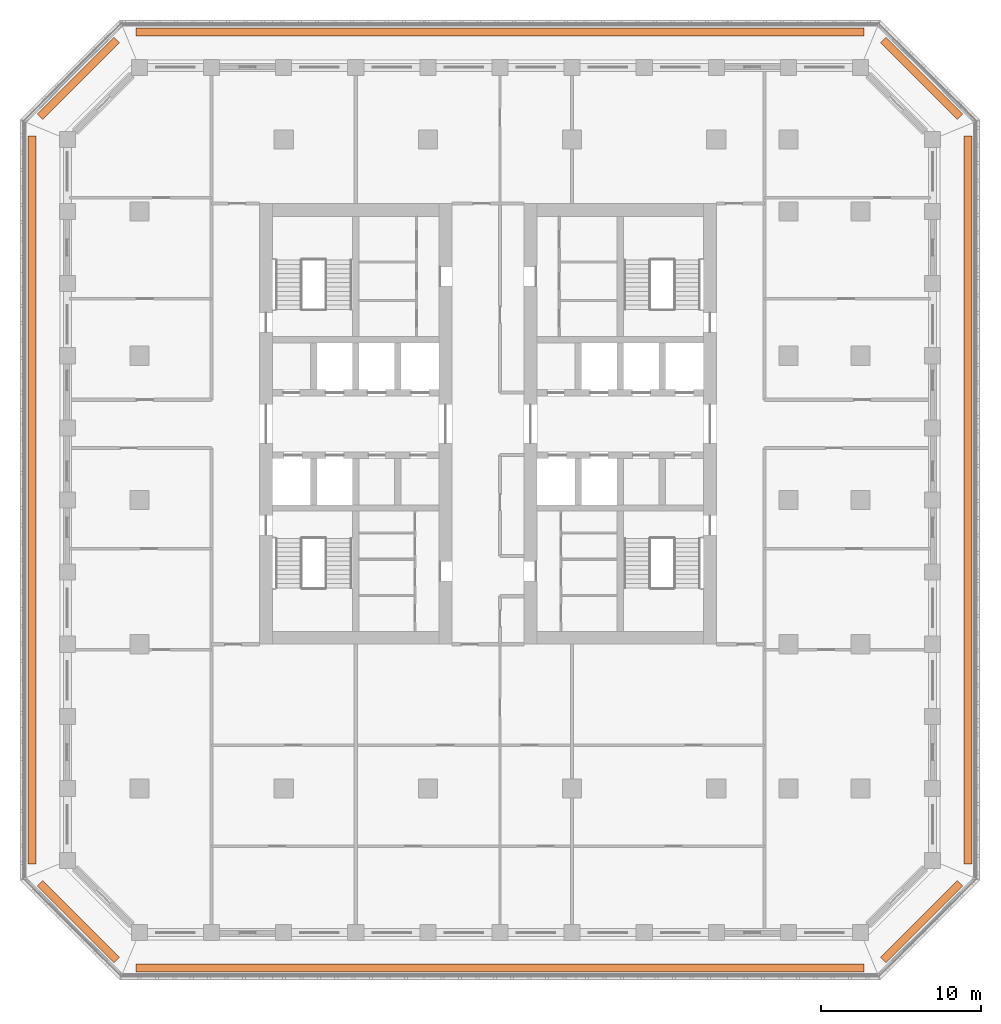
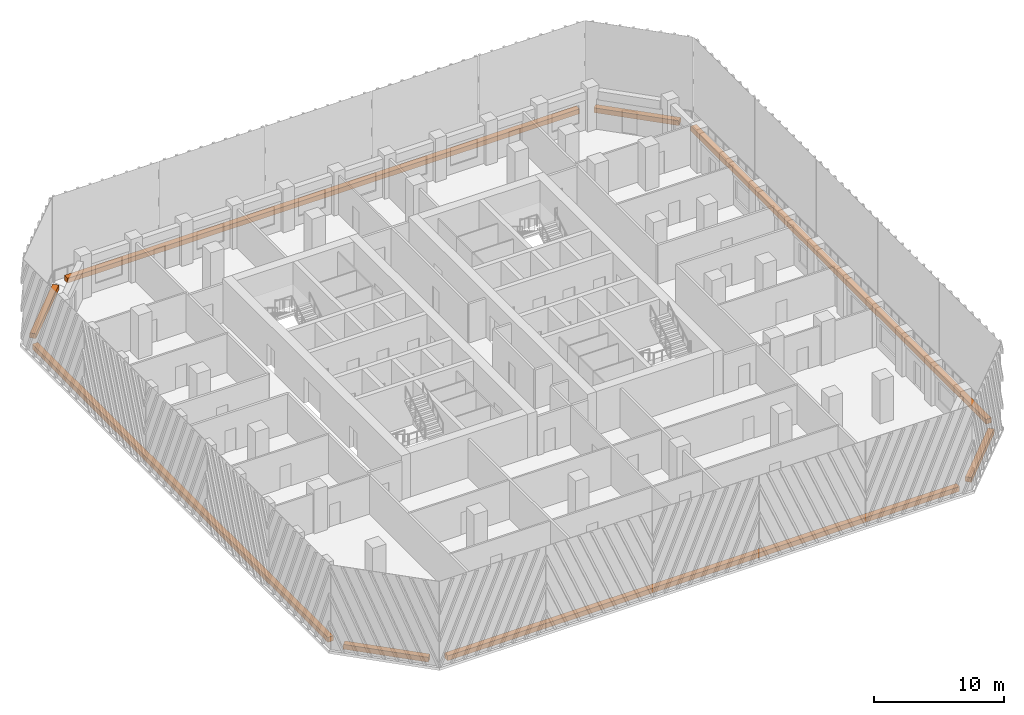
# One storey, part 17 of 17: 8 proxies.
"""IFC4 building model written with IfcOpenShell, lengths in metres."""

from ifc_helpers import new_model, si_unit, direction, frame, origin, origin_2d, place, context, subcontext, project, spatial, rectangle, extrude, material, type_object, element, save


model = new_model("IFC4")

# Units and contexts
model_context = context("Model", 3, precision=1e-05, world=origin(), true_north=direction((0.0, 1.0)))
body_context = subcontext(model_context, "Body", "Model", "MODEL_VIEW")
ifc_project = project(units=[si_unit("LENGTHUNIT", "METRE"), si_unit("AREAUNIT", "SQUARE_METRE"), si_unit("VOLUMEUNIT", "CUBIC_METRE"), si_unit("PLANEANGLEUNIT", "RADIAN"), si_unit("MASSUNIT", "GRAM", prefix="KILO")], contexts=[model_context])

# Site, building, storey
site_placement = place(None, origin())
site = spatial("IfcSite", under=ifc_project, at=site_placement, CompositionType="ELEMENT")
building_placement = place(site_placement, origin())
building = spatial("IfcBuilding", under=site, at=building_placement, Name="Corbel Stack Research Tower", CompositionType="ELEMENT")
storey_placement = place(building_placement, frame((0.0, 0.0, 207.89990234375)))
storey = spatial("IfcBuildingStorey", under=building, at=storey_placement, Name="L47", CompositionType="ELEMENT", Elevation=207.89990234375)

# Proxies
ifc_material = material(Name="Concrete C45/55", Category="concrete")
building_element_proxy_type = type_object("IfcBuildingElementProxyType", Name="Planter box", PredefinedType="USERDEFINED", material=ifc_material)
proxy_1_placement = place(storey_placement, frame((4.5, -29.199951171875, 0.0), z_axis=(0.0, 0.0, 1.0), x_axis=(1.0, 0.0, 0.0)))
element("IfcBuildingElementProxy", 1, at=proxy_1_placement, inside=storey, type_object=building_element_proxy_type, Name="Planter L47 S", ObjectType="PLANTER", PredefinedType="USERDEFINED", context=body_context, shape_type="SweptSolid", body=[
    extrude(rectangle(XDim=45.41064453125, YDim=0.5, at=origin_2d()), origin(), (0.0, 0.0, 1.0), 0.449951171875),
])
proxy_2_placement = place(storey_placement, frame((30.8056640625, -26.3056640625, 0.0), z_axis=(0.0, 0.0, 1.0), x_axis=(0.707106781187, 0.707106781187, 0.0)))
element("IfcBuildingElementProxy", 2, at=proxy_2_placement, inside=storey, type_object=building_element_proxy_type, Name="Planter L47 SE", ObjectType="PLANTER", PredefinedType="USERDEFINED", context=body_context, shape_type="SweptSolid", body=[
    extrude(rectangle(XDim=6.774658203125, YDim=0.5, at=origin_2d()), origin(), (0.0, 0.0, 1.0), 0.449951171875),
])
proxy_3_placement = place(storey_placement, frame((33.699951171875, 0.0, 0.0), z_axis=(0.0, 0.0, 1.0), x_axis=(0.0, 1.0, 0.0)))
element("IfcBuildingElementProxy", 3, at=proxy_3_placement, inside=storey, type_object=building_element_proxy_type, Name="Planter L47 E", ObjectType="PLANTER", PredefinedType="USERDEFINED", context=body_context, shape_type="SweptSolid", body=[
    extrude(rectangle(XDim=45.41064453125, YDim=0.5, at=origin_2d()), origin(), (0.0, 0.0, 1.0), 0.449951171875),
])
proxy_4_placement = place(storey_placement, frame((30.8056640625, 26.3056640625, 0.0), z_axis=(0.0, 0.0, 1.0), x_axis=(-0.707106781187, 0.707106781187, 0.0)))
element("IfcBuildingElementProxy", 4, at=proxy_4_placement, inside=storey, type_object=building_element_proxy_type, Name="Planter L47 NE", ObjectType="PLANTER", PredefinedType="USERDEFINED", context=body_context, shape_type="SweptSolid", body=[
    extrude(rectangle(XDim=6.774658203125, YDim=0.5, at=origin_2d()), origin(), (0.0, 0.0, 1.0), 0.449951171875),
])
proxy_5_placement = place(storey_placement, frame((4.5, 29.199951171875, 0.0), z_axis=(0.0, 0.0, 1.0), x_axis=(-1.0, 0.0, 0.0)))
element("IfcBuildingElementProxy", 5, at=proxy_5_placement, inside=storey, type_object=building_element_proxy_type, Name="Planter L47 N", ObjectType="PLANTER", PredefinedType="USERDEFINED", context=body_context, shape_type="SweptSolid", body=[
    extrude(rectangle(XDim=45.41064453125, YDim=0.5, at=origin_2d()), origin(), (0.0, 0.0, 1.0), 0.449951171875),
])
proxy_6_placement = place(storey_placement, frame((-21.8056640625, 26.3056640625, 0.0), z_axis=(0.0, 0.0, 1.0), x_axis=(-0.707106781187, -0.707106781187, 0.0)))
element("IfcBuildingElementProxy", 6, at=proxy_6_placement, inside=storey, type_object=building_element_proxy_type, Name="Planter L47 NW", ObjectType="PLANTER", PredefinedType="USERDEFINED", context=body_context, shape_type="SweptSolid", body=[
    extrude(rectangle(XDim=6.774658203125, YDim=0.5, at=origin_2d()), origin(), (0.0, 0.0, 1.0), 0.449951171875),
])
proxy_7_placement = place(storey_placement, frame((-24.699951171875, 0.0, 0.0), z_axis=(0.0, 0.0, 1.0), x_axis=(0.0, -1.0, 0.0)))
element("IfcBuildingElementProxy", 7, at=proxy_7_placement, inside=storey, type_object=building_element_proxy_type, Name="Planter L47 W", ObjectType="PLANTER", PredefinedType="USERDEFINED", context=body_context, shape_type="SweptSolid", body=[
    extrude(rectangle(XDim=45.41064453125, YDim=0.5, at=origin_2d()), origin(), (0.0, 0.0, 1.0), 0.449951171875),
])
proxy_8_placement = place(storey_placement, frame((-21.8056640625, -26.3056640625, 0.0), z_axis=(0.0, 0.0, 1.0), x_axis=(0.707106781187, -0.707106781187, 0.0)))
element("IfcBuildingElementProxy", 8, at=proxy_8_placement, inside=storey, type_object=building_element_proxy_type, Name="Planter L47 SW", ObjectType="PLANTER", PredefinedType="USERDEFINED", context=body_context, shape_type="SweptSolid", body=[
    extrude(rectangle(XDim=6.774658203125, YDim=0.5, at=origin_2d()), origin(), (0.0, 0.0, 1.0), 0.449951171875),
])

save(model, "model.ifc")
